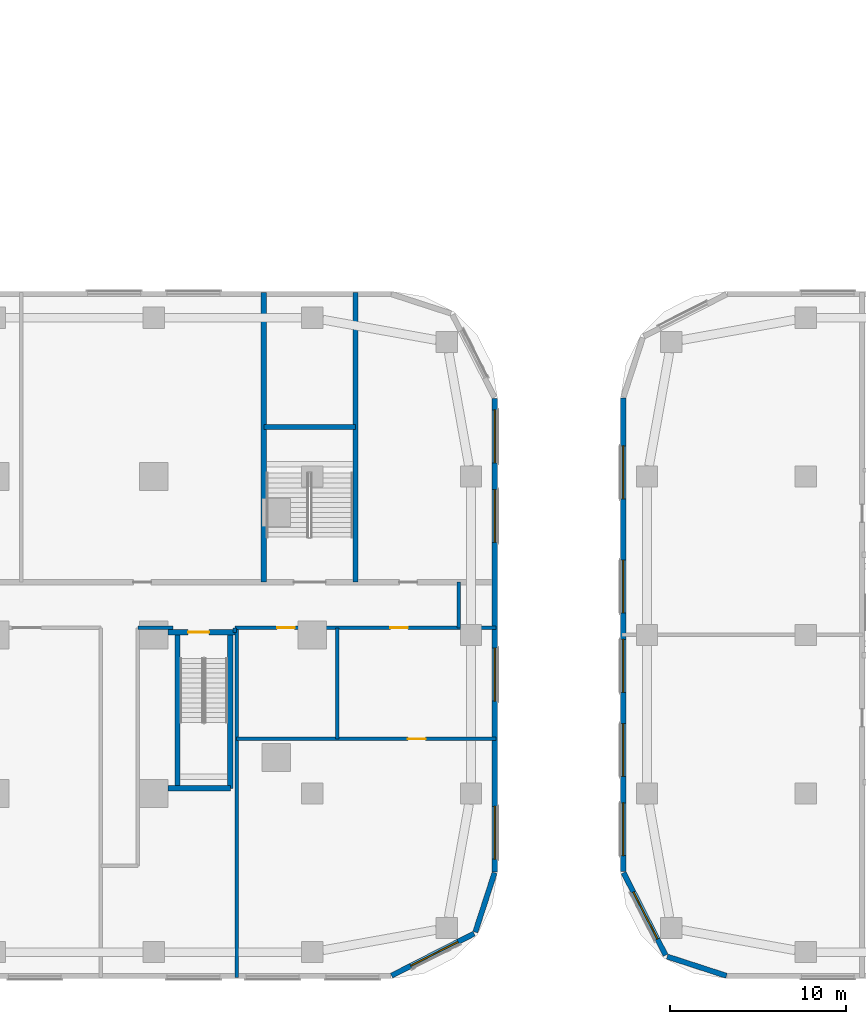
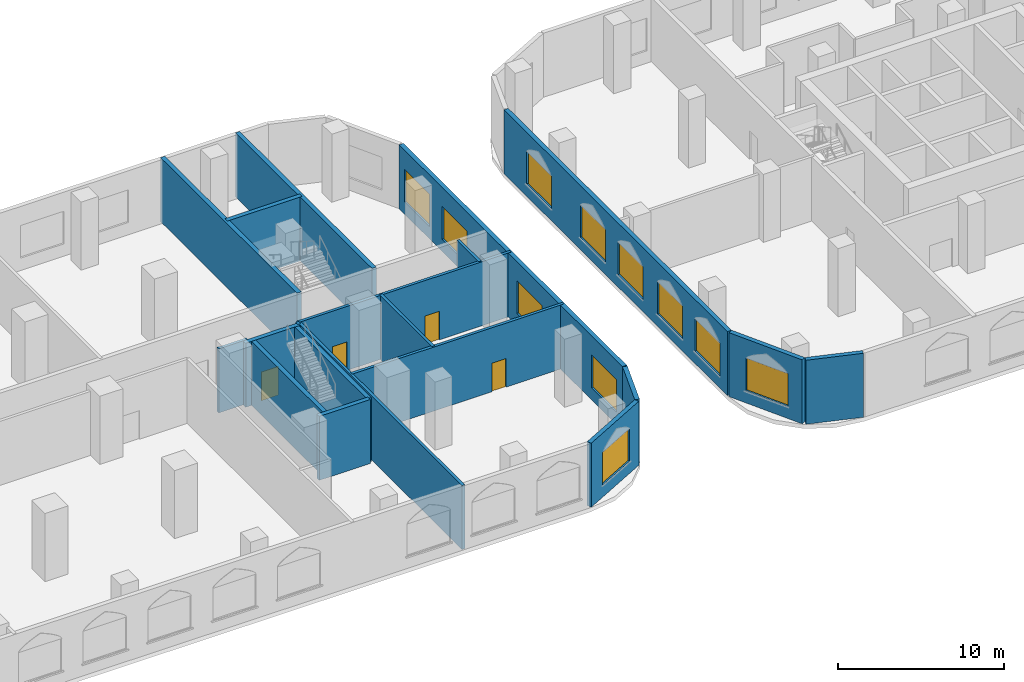
# One storey, part 8 of 31: 20 walls, 11 windows, 4 doors, 15 openings.
"""IFC4 building model written with IfcOpenShell, lengths in metres."""

from ifc_helpers import new_model, si_unit, direction, frame, frame_2d, origin, place, context, subcontext, project, spatial, rectangle, extrude, material, layer, layer_set, type_object, element, fill, save


model = new_model("IFC4")

# Units and contexts
model_context = context("Model", 3, precision=1e-05, world=origin(), true_north=direction((0.0, 1.0)))
body_context = subcontext(model_context, "Body", "Model", "MODEL_VIEW")
ifc_project = project(units=[si_unit("LENGTHUNIT", "METRE"), si_unit("AREAUNIT", "SQUARE_METRE"), si_unit("VOLUMEUNIT", "CUBIC_METRE"), si_unit("PLANEANGLEUNIT", "RADIAN"), si_unit("MASSUNIT", "GRAM", prefix="KILO")], contexts=[model_context])

# Site, building, storey
site_placement = place(None, origin())
site = spatial("IfcSite", under=ifc_project, at=site_placement, CompositionType="ELEMENT")
building_placement = place(site_placement, origin())
building = spatial("IfcBuilding", under=site, at=building_placement, Name="Ogive Portal Towers", CompositionType="ELEMENT")
storey_placement = place(building_placement, frame((0.0, 0.0, 13.5)))
storey = spatial("IfcBuildingStorey", under=building, at=storey_placement, Name="L02", CompositionType="ELEMENT", Elevation=13.5)

# Wall, opening, window
ifc_material_1 = material(Name="Limestone cladding on lightweight block wall", Category="masonry")
ifc_layer_1 = layer(ifc_material_1, 0.300048828125)
ifc_layer_set_1 = layer_set([ifc_layer_1], Name="EXTERNAL WALL 300 STONE")
wall_type_1 = type_object("IfcWallType", Name="EXTERNAL WALL 300 STONE", PredefinedType="SOLIDWALL", material=ifc_layer_set_1)
wall_1_placement = place(storey_placement, frame((98.99609375, 11.166259765625, 0.0), z_axis=(0.0, 0.0, 1.0), x_axis=(0.890998339455, 0.454006562826, 0.0)))
wall_1 = element("IfcWall", 1, at=wall_1_placement, inside=storey, type_object=wall_type_1, Name="A:L02:f03:w0", PredefinedType="SOLIDWALL", context=body_context, shape_type="SweptSolid", body=[
    extrude(rectangle(XDim=5.251708984375, YDim=0.300048828125, at=frame_2d((2.6259765625, 0.0))), origin(), (0.0, 0.0, 1.0), 4.699951171875),
])
opening_1_placement = place(wall_1_placement, frame((1.223876953125, 0.0, 0.89990234375)))
opening_1 = element("IfcOpeningElement", 2, at=opening_1_placement, cuts=wall_1, Name="Opening WN3", PredefinedType="OPENING", context=body_context, shape_type="SweptSolid", body=[
    extrude(rectangle(XDim=3.0, YDim=2.39990234375, at=frame_2d((1.5, 1.199951171875))), frame((0.0, 0.16015625, 0.0), z_axis=(0.0, -1.0, 0.0), x_axis=(1.0, 0.0, 0.0)), (0.0, 0.0, 1.0), 0.320068359375),
])
ifc_material_2 = material(Name="Glass, clear low-iron insulated glazing", Category="glass")
window_type = type_object("IfcWindowType", Name="WINDOW PODIUM 3000x2400", PartitioningType="SINGLE_PANEL", PredefinedType="WINDOW", material=ifc_material_2)
window_1_placement = place(opening_1_placement, origin())
window_1 = element("IfcWindow", 3, at=window_1_placement, inside=storey, type_object=window_type, Name="A:L02:f03:w0:o0", OverallHeight=2.39990234375, OverallWidth=3.0, PartitioningType="SINGLE_PANEL", PredefinedType="WINDOW", context=body_context, shape_type="SweptSolid", body=[
    extrude(rectangle(XDim=3.0, YDim=2.39990234375, at=frame_2d((1.5, 1.199951171875))), frame((0.0, 0.030029296875, 0.0), z_axis=(0.0, -1.0, 0.0), x_axis=(1.0, 0.0, 0.0)), (0.0, 0.0, 1.0), 0.06005859375),
])
fill(opening_1, window_1)

# Wall
wall_2_placement = place(storey_placement, frame((103.749755859375, 13.637939453125, 0.0), z_axis=(0.0, 0.0, 1.0), x_axis=(0.309073584194, 0.951038127287, 0.0)))
element("IfcWall", 4, at=wall_2_placement, inside=storey, type_object=wall_type_1, Name="A:L02:f04:w0", PredefinedType="SOLIDWALL", context=body_context, shape_type="SweptSolid", body=[
    extrude(rectangle(XDim=3.536376953125, YDim=0.300048828125, at=frame_2d((1.76806640625, 0.0))), origin(), (0.0, 0.0, 1.0), 4.699951171875),
])

# Wall, openings, windows
wall_3_placement = place(storey_placement, frame((104.85009765625, 17.047607421875, 0.0), z_axis=(0.0, 0.0, 1.0), x_axis=(0.0, 1.0, 0.0)))
wall_3 = element("IfcWall", 5, at=wall_3_placement, inside=storey, type_object=wall_type_1, Name="A:L02:f05:w0", PredefinedType="SOLIDWALL", context=body_context, shape_type="SweptSolid", body=[
    extrude(rectangle(XDim=26.88037109375, YDim=0.300048828125, at=frame_2d((13.440185546875, 0.0))), origin(), (0.0, 0.0, 1.0), 4.699951171875),
])
opening_2_placement = place(wall_3_placement, frame((0.726318359375, 0.0, 0.89990234375)))
opening_2 = element("IfcOpeningElement", 6, at=opening_2_placement, cuts=wall_3, Name="Opening WN3", PredefinedType="OPENING", context=body_context, shape_type="SweptSolid", body=[
    extrude(rectangle(XDim=3.0, YDim=2.39990234375, at=frame_2d((1.5, 1.199951171875))), frame((0.0, 0.16015625, 0.0), z_axis=(0.0, -1.0, 0.0), x_axis=(1.0, 0.0, 0.0)), (0.0, 0.0, 1.0), 0.320068359375),
])
opening_3_placement = place(wall_3_placement, frame((9.702392578125, 0.0, 0.89990234375)))
opening_3 = element("IfcOpeningElement", 7, at=opening_3_placement, cuts=wall_3, Name="Opening WN3", PredefinedType="OPENING", context=body_context, shape_type="SweptSolid", body=[
    extrude(rectangle(XDim=3.0, YDim=2.39990234375, at=frame_2d((1.5, 1.199951171875))), frame((0.0, 0.16015625, 0.0), z_axis=(0.0, -1.0, 0.0), x_axis=(1.0, 0.0, 0.0)), (0.0, 0.0, 1.0), 0.320068359375),
])
opening_4_placement = place(wall_3_placement, frame((18.702392578125, 0.0, 0.89990234375)))
opening_4 = element("IfcOpeningElement", 8, at=opening_4_placement, cuts=wall_3, Name="Opening WN3", PredefinedType="OPENING", context=body_context, shape_type="SweptSolid", body=[
    extrude(rectangle(XDim=3.0, YDim=2.39990234375, at=frame_2d((1.5, 1.199951171875))), frame((0.0, 0.16015625, 0.0), z_axis=(0.0, -1.0, 0.0), x_axis=(1.0, 0.0, 0.0)), (0.0, 0.0, 1.0), 0.320068359375),
])
opening_5_placement = place(wall_3_placement, frame((23.226318359375, 0.0, 0.89990234375)))
opening_5 = element("IfcOpeningElement", 9, at=opening_5_placement, cuts=wall_3, Name="Opening WN3", PredefinedType="OPENING", context=body_context, shape_type="SweptSolid", body=[
    extrude(rectangle(XDim=3.0, YDim=2.39990234375, at=frame_2d((1.5, 1.199951171875))), frame((0.0, 0.16015625, 0.0), z_axis=(0.0, -1.0, 0.0), x_axis=(1.0, 0.0, 0.0)), (0.0, 0.0, 1.0), 0.320068359375),
])
window_2_placement = place(opening_2_placement, origin())
window_2 = element("IfcWindow", 10, at=window_2_placement, inside=storey, type_object=window_type, Name="A:L02:f05:w0:o0", OverallHeight=2.39990234375, OverallWidth=3.0, PartitioningType="SINGLE_PANEL", PredefinedType="WINDOW", context=body_context, shape_type="SweptSolid", body=[
    extrude(rectangle(XDim=3.0, YDim=2.39990234375, at=frame_2d((1.5, 1.199951171875))), frame((0.0, 0.030029296875, 0.0), z_axis=(0.0, -1.0, 0.0), x_axis=(1.0, 0.0, 0.0)), (0.0, 0.0, 1.0), 0.06005859375),
])
fill(opening_2, window_2)
window_3_placement = place(opening_3_placement, origin())
window_3 = element("IfcWindow", 11, at=window_3_placement, inside=storey, type_object=window_type, Name="A:L02:f05:w0:o1b", OverallHeight=2.39990234375, OverallWidth=3.0, PartitioningType="SINGLE_PANEL", PredefinedType="WINDOW", context=body_context, shape_type="SweptSolid", body=[
    extrude(rectangle(XDim=3.0, YDim=2.39990234375, at=frame_2d((1.5, 1.199951171875))), frame((0.0, 0.030029296875, 0.0), z_axis=(0.0, -1.0, 0.0), x_axis=(1.0, 0.0, 0.0)), (0.0, 0.0, 1.0), 0.06005859375),
])
fill(opening_3, window_3)
window_4_placement = place(opening_4_placement, origin())
window_4 = element("IfcWindow", 12, at=window_4_placement, inside=storey, type_object=window_type, Name="A:L02:f05:w0:o2b", OverallHeight=2.39990234375, OverallWidth=3.0, PartitioningType="SINGLE_PANEL", PredefinedType="WINDOW", context=body_context, shape_type="SweptSolid", body=[
    extrude(rectangle(XDim=3.0, YDim=2.39990234375, at=frame_2d((1.5, 1.199951171875))), frame((0.0, 0.030029296875, 0.0), z_axis=(0.0, -1.0, 0.0), x_axis=(1.0, 0.0, 0.0)), (0.0, 0.0, 1.0), 0.06005859375),
])
fill(opening_4, window_4)
window_5_placement = place(opening_5_placement, origin())
window_5 = element("IfcWindow", 13, at=window_5_placement, inside=storey, type_object=window_type, Name="A:L02:f05:w0:o3", OverallHeight=2.39990234375, OverallWidth=3.0, PartitioningType="SINGLE_PANEL", PredefinedType="WINDOW", context=body_context, shape_type="SweptSolid", body=[
    extrude(rectangle(XDim=3.0, YDim=2.39990234375, at=frame_2d((1.5, 1.199951171875))), frame((0.0, 0.030029296875, 0.0), z_axis=(0.0, -1.0, 0.0), x_axis=(1.0, 0.0, 0.0)), (0.0, 0.0, 1.0), 0.06005859375),
])
fill(opening_5, window_5)

# Wall, opening, window
wall_4_placement = place(storey_placement, frame((112.166259765625, 17.00390625, 0.0), z_axis=(0.0, 0.0, 1.0), x_axis=(0.454006562826, -0.890998339455, 0.0)))
wall_4 = element("IfcWall", 14, at=wall_4_placement, inside=storey, type_object=wall_type_1, Name="B:L02:f00:w0", PredefinedType="SOLIDWALL", context=body_context, shape_type="SweptSolid", body=[
    extrude(rectangle(XDim=5.251708984375, YDim=0.300048828125, at=frame_2d((2.6259765625, 0.0))), origin(), (0.0, 0.0, 1.0), 4.699951171875),
])
opening_6_placement = place(wall_4_placement, frame((1.223876953125, 0.0, 0.89990234375)))
opening_6 = element("IfcOpeningElement", 15, at=opening_6_placement, cuts=wall_4, Name="Opening WN3", PredefinedType="OPENING", context=body_context, shape_type="SweptSolid", body=[
    extrude(rectangle(XDim=3.0, YDim=2.39990234375, at=frame_2d((1.5, 1.199951171875))), frame((0.0, 0.16015625, 0.0), z_axis=(0.0, -1.0, 0.0), x_axis=(1.0, 0.0, 0.0)), (0.0, 0.0, 1.0), 0.320068359375),
])
window_6_placement = place(opening_6_placement, origin())
window_6 = element("IfcWindow", 16, at=window_6_placement, inside=storey, type_object=window_type, Name="B:L02:f00:w0:o0", OverallHeight=2.39990234375, OverallWidth=3.0, PartitioningType="SINGLE_PANEL", PredefinedType="WINDOW", context=body_context, shape_type="SweptSolid", body=[
    extrude(rectangle(XDim=3.0, YDim=2.39990234375, at=frame_2d((1.5, 1.199951171875))), frame((0.0, 0.030029296875, 0.0), z_axis=(0.0, -1.0, 0.0), x_axis=(1.0, 0.0, 0.0)), (0.0, 0.0, 1.0), 0.06005859375),
])
fill(opening_6, window_6)

# Wall
wall_5_placement = place(storey_placement, frame((114.637939453125, 12.250244140625, 0.0), z_axis=(0.0, 0.0, 1.0), x_axis=(0.951038127287, -0.309073584194, 0.0)))
element("IfcWall", 17, at=wall_5_placement, inside=storey, type_object=wall_type_1, Name="B:L02:f01:w0", PredefinedType="SOLIDWALL", context=body_context, shape_type="SweptSolid", body=[
    extrude(rectangle(XDim=3.536376953125, YDim=0.300048828125, at=frame_2d((1.76806640625, 0.0))), origin(), (0.0, 0.0, 1.0), 4.699951171875),
])

# Wall, openings, windows
wall_6_placement = place(storey_placement, frame((112.14990234375, 43.952392578125, 0.0), z_axis=(0.0, 0.0, 1.0), x_axis=(0.0, -1.0, 0.0)))
wall_6 = element("IfcWall", 18, at=wall_6_placement, inside=storey, type_object=wall_type_1, Name="B:L02:f11:w0", PredefinedType="SOLIDWALL", context=body_context, shape_type="SweptSolid", body=[
    extrude(rectangle(XDim=26.88037109375, YDim=0.300048828125, at=frame_2d((13.440185546875, 0.0))), origin(), (0.0, 0.0, 1.0), 4.699951171875),
])
opening_7_placement = place(wall_6_placement, frame((2.726318359375, 0.0, 0.89990234375)))
opening_7 = element("IfcOpeningElement", 19, at=opening_7_placement, cuts=wall_6, Name="Opening WN3", PredefinedType="OPENING", context=body_context, shape_type="SweptSolid", body=[
    extrude(rectangle(XDim=3.0, YDim=2.39990234375, at=frame_2d((1.5, 1.199951171875))), frame((0.0, 0.16015625, 0.0), z_axis=(0.0, -1.0, 0.0), x_axis=(1.0, 0.0, 0.0)), (0.0, 0.0, 1.0), 0.320068359375),
])
opening_8_placement = place(wall_6_placement, frame((9.202392578125, 0.0, 0.89990234375)))
opening_8 = element("IfcOpeningElement", 20, at=opening_8_placement, cuts=wall_6, Name="Opening WN3", PredefinedType="OPENING", context=body_context, shape_type="SweptSolid", body=[
    extrude(rectangle(XDim=3.0, YDim=2.39990234375, at=frame_2d((1.5, 1.199951171875))), frame((0.0, 0.16015625, 0.0), z_axis=(0.0, -1.0, 0.0), x_axis=(1.0, 0.0, 0.0)), (0.0, 0.0, 1.0), 0.320068359375),
])
opening_9_placement = place(wall_6_placement, frame((13.702392578125, 0.0, 0.89990234375)))
opening_9 = element("IfcOpeningElement", 21, at=opening_9_placement, cuts=wall_6, Name="Opening WN3", PredefinedType="OPENING", context=body_context, shape_type="SweptSolid", body=[
    extrude(rectangle(XDim=3.0, YDim=2.39990234375, at=frame_2d((1.5, 1.199951171875))), frame((0.0, 0.16015625, 0.0), z_axis=(0.0, -1.0, 0.0), x_axis=(1.0, 0.0, 0.0)), (0.0, 0.0, 1.0), 0.320068359375),
])
opening_10_placement = place(wall_6_placement, frame((18.476318359375, 0.0, 0.89990234375)))
opening_10 = element("IfcOpeningElement", 22, at=opening_10_placement, cuts=wall_6, Name="Opening WN3", PredefinedType="OPENING", context=body_context, shape_type="SweptSolid", body=[
    extrude(rectangle(XDim=3.0, YDim=2.39990234375, at=frame_2d((1.5, 1.199951171875))), frame((0.0, 0.16015625, 0.0), z_axis=(0.0, -1.0, 0.0), x_axis=(1.0, 0.0, 0.0)), (0.0, 0.0, 1.0), 0.320068359375),
])
opening_11_placement = place(wall_6_placement, frame((22.976318359375, 0.0, 0.89990234375)))
opening_11 = element("IfcOpeningElement", 23, at=opening_11_placement, cuts=wall_6, Name="Opening WN3", PredefinedType="OPENING", context=body_context, shape_type="SweptSolid", body=[
    extrude(rectangle(XDim=3.0, YDim=2.39990234375, at=frame_2d((1.5, 1.199951171875))), frame((0.0, 0.16015625, 0.0), z_axis=(0.0, -1.0, 0.0), x_axis=(1.0, 0.0, 0.0)), (0.0, 0.0, 1.0), 0.320068359375),
])
window_7_placement = place(opening_7_placement, origin())
window_7 = element("IfcWindow", 24, at=window_7_placement, inside=storey, type_object=window_type, Name="B:L02:f11:w0:o0", OverallHeight=2.39990234375, OverallWidth=3.0, PartitioningType="SINGLE_PANEL", PredefinedType="WINDOW", context=body_context, shape_type="SweptSolid", body=[
    extrude(rectangle(XDim=3.0, YDim=2.39990234375, at=frame_2d((1.5, 1.199951171875))), frame((0.0, 0.030029296875, 0.0), z_axis=(0.0, -1.0, 0.0), x_axis=(1.0, 0.0, 0.0)), (0.0, 0.0, 1.0), 0.06005859375),
])
fill(opening_7, window_7)
window_8_placement = place(opening_8_placement, origin())
window_8 = element("IfcWindow", 25, at=window_8_placement, inside=storey, type_object=window_type, Name="B:L02:f11:w0:o1a", OverallHeight=2.39990234375, OverallWidth=3.0, PartitioningType="SINGLE_PANEL", PredefinedType="WINDOW", context=body_context, shape_type="SweptSolid", body=[
    extrude(rectangle(XDim=3.0, YDim=2.39990234375, at=frame_2d((1.5, 1.199951171875))), frame((0.0, 0.030029296875, 0.0), z_axis=(0.0, -1.0, 0.0), x_axis=(1.0, 0.0, 0.0)), (0.0, 0.0, 1.0), 0.06005859375),
])
fill(opening_8, window_8)
window_9_placement = place(opening_9_placement, origin())
window_9 = element("IfcWindow", 26, at=window_9_placement, inside=storey, type_object=window_type, Name="B:L02:f11:w0:o1b", OverallHeight=2.39990234375, OverallWidth=3.0, PartitioningType="SINGLE_PANEL", PredefinedType="WINDOW", context=body_context, shape_type="SweptSolid", body=[
    extrude(rectangle(XDim=3.0, YDim=2.39990234375, at=frame_2d((1.5, 1.199951171875))), frame((0.0, 0.030029296875, 0.0), z_axis=(0.0, -1.0, 0.0), x_axis=(1.0, 0.0, 0.0)), (0.0, 0.0, 1.0), 0.06005859375),
])
fill(opening_9, window_9)
window_10_placement = place(opening_10_placement, origin())
window_10 = element("IfcWindow", 27, at=window_10_placement, inside=storey, type_object=window_type, Name="B:L02:f11:w0:o2a", OverallHeight=2.39990234375, OverallWidth=3.0, PartitioningType="SINGLE_PANEL", PredefinedType="WINDOW", context=body_context, shape_type="SweptSolid", body=[
    extrude(rectangle(XDim=3.0, YDim=2.39990234375, at=frame_2d((1.5, 1.199951171875))), frame((0.0, 0.030029296875, 0.0), z_axis=(0.0, -1.0, 0.0), x_axis=(1.0, 0.0, 0.0)), (0.0, 0.0, 1.0), 0.06005859375),
])
fill(opening_10, window_10)
window_11_placement = place(opening_11_placement, origin())
window_11 = element("IfcWindow", 28, at=window_11_placement, inside=storey, type_object=window_type, Name="B:L02:f11:w0:o2b", OverallHeight=2.39990234375, OverallWidth=3.0, PartitioningType="SINGLE_PANEL", PredefinedType="WINDOW", context=body_context, shape_type="SweptSolid", body=[
    extrude(rectangle(XDim=3.0, YDim=2.39990234375, at=frame_2d((1.5, 1.199951171875))), frame((0.0, 0.030029296875, 0.0), z_axis=(0.0, -1.0, 0.0), x_axis=(1.0, 0.0, 0.0)), (0.0, 0.0, 1.0), 0.06005859375),
])
fill(opening_11, window_11)

# Wall
ifc_material_3 = material(Name="Concrete C50/60", Category="concrete")
ifc_layer_2 = layer(ifc_material_3, 0.300048828125)
ifc_layer_set_2 = layer_set([ifc_layer_2], Name="STAIR WALL 300 C50")
wall_type_2 = type_object("IfcWallType", Name="STAIR WALL 300 C50", PredefinedType="SHEAR", material=ifc_layer_set_2)
wall_7_placement = place(storey_placement, frame((86.300048828125, 21.800048828125, 0.0), z_axis=(0.0, 0.0, 1.0), x_axis=(1.0, 0.0, 0.0)))
element("IfcWall", 29, at=wall_7_placement, inside=storey, type_object=wall_type_2, Name="Stair wall ST-A4 L02", PredefinedType="SHEAR", context=body_context, shape_type="SweptSolid", body=[
    extrude(rectangle(XDim=3.550048828125, YDim=0.300048828125, at=frame_2d((1.77490234375, 0.0))), origin(), (0.0, 0.0, 1.0), 4.699951171875),
])

# Wall, opening, door
wall_8_placement = place(storey_placement, frame((86.300048828125, 30.64990234375, 0.0), z_axis=(0.0, 0.0, 1.0), x_axis=(1.0, 0.0, 0.0)))
wall_8 = element("IfcWall", 30, at=wall_8_placement, inside=storey, type_object=wall_type_2, Name="Stair wall ST-A4 L02", PredefinedType="SHEAR", context=body_context, shape_type="SweptSolid", body=[
    extrude(rectangle(XDim=3.800048828125, YDim=0.300048828125, at=frame_2d((1.89990234375, 0.0))), origin(), (0.0, 0.0, 1.0), 4.699951171875),
])
opening_12_placement = place(wall_8_placement, frame((1.14990234375, 0.0, 0.0)))
opening_12 = element("IfcOpeningElement", 31, at=opening_12_placement, cuts=wall_8, Name="Opening P02-002", PredefinedType="OPENING", context=body_context, shape_type="SweptSolid", body=[
    extrude(rectangle(XDim=1.199951171875, YDim=2.10009765625, at=frame_2d((0.60009765625, 1.050048828125))), frame((0.0, 0.16015625, 0.0), z_axis=(0.0, -1.0, 0.0), x_axis=(1.0, 0.0, 0.0)), (0.0, 0.0, 1.0), 0.320068359375),
])
ifc_material_4 = material(Name="Steel fire door", Category="steel")
door_type_1 = type_object("IfcDoorType", Name="DT-SWING-1200x2100-FD90S", OperationType="SINGLE_SWING_LEFT", PredefinedType="DOOR", material=ifc_material_4)
door_1_placement = place(opening_12_placement, origin())
door_1 = element("IfcDoor", 32, at=door_1_placement, inside=storey, type_object=door_type_1, Name="Door P02-002", OperationType="SINGLE_SWING_RIGHT", OverallHeight=2.10009765625, OverallWidth=1.199951171875, PredefinedType="DOOR", context=body_context, shape_type="SweptSolid", body=[
    extrude(rectangle(XDim=1.199951171875, YDim=2.10009765625, at=frame_2d((0.60009765625, 1.050048828125))), frame((0.0, 0.02490234375, 0.0), z_axis=(0.0, -1.0, 0.0), x_axis=(1.0, 0.0, 0.0)), (0.0, 0.0, 1.0), 0.050048828125),
])
fill(opening_12, door_1)

# Walls
wall_9_placement = place(storey_placement, frame((91.75, 42.300048828125, 0.0), z_axis=(0.0, 0.0, 1.0), x_axis=(1.0, 0.0, 0.0)))
element("IfcWall", 33, at=wall_9_placement, inside=storey, type_object=wall_type_2, Name="Stair wall ST-P1 L02", PredefinedType="SHEAR", context=body_context, shape_type="SweptSolid", body=[
    extrude(rectangle(XDim=5.199951171875, YDim=0.300048828125, at=frame_2d((2.60009765625, 0.0))), origin(), (0.0, 0.0, 1.0), 4.699951171875),
])
for number, where, z_axis, x_axis, name in (
    (34, (86.85009765625, 21.800048828125, 0.0), (0.0, 0.0, 1.0), (0.0, 1.0, 0.0), "Stair wall ST-A4 L02"),
    (35, (89.85009765625, 21.800048828125, 0.0), (0.0, 0.0, 1.0), (0.0, 1.0, 0.0), "Stair wall ST-A4 L02"),
):
    element("IfcWall", number, at=place(storey_placement, frame(where, z_axis=z_axis, x_axis=x_axis)), inside=storey, type_object=wall_type_2, Name=name, PredefinedType="SHEAR", context=body_context, shape_type="SweptSolid", body=[
        extrude(rectangle(XDim=8.849853515625, YDim=0.300048828125, at=frame_2d((4.4248046875, 0.0))), origin(), (0.0, 0.0, 1.0), 4.699951171875),
    ])
for number, where, z_axis, x_axis, name in (
    (36, (91.75, 33.5, 0.0), (0.0, 0.0, 1.0), (0.0, 1.0, 0.0), "Stair wall ST-P1 L02"),
    (37, (96.949951171875, 33.5, 0.0), (0.0, 0.0, 1.0), (0.0, 1.0, 0.0), "Stair wall ST-P1 L02"),
):
    element("IfcWall", number, at=place(storey_placement, frame(where, z_axis=z_axis, x_axis=x_axis)), inside=storey, type_object=wall_type_2, Name=name, PredefinedType="SHEAR", context=body_context, shape_type="SweptSolid", body=[
        extrude(rectangle(XDim=16.429931640625, YDim=0.300048828125, at=frame_2d((8.21484375, 0.0))), origin(), (0.0, 0.0, 1.0), 4.699951171875),
    ])

# Wall, opening, door
ifc_material_5 = material(Name="Gypsum board partition on steel studs", Category="steel")
ifc_layer_3 = layer(ifc_material_5, 0.199951171875)
ifc_layer_set_3 = layer_set([ifc_layer_3], Name="WT-PART-200-EI 60")
wall_type_3 = type_object("IfcWallType", Name="WT-PART-200-EI 60", PredefinedType="PARTITIONING", material=ifc_layer_set_3)
wall_10_placement = place(storey_placement, frame((90.199951171875, 24.60009765625, 0.0), z_axis=(0.0, 0.0, 1.0), x_axis=(1.0, 0.0, 0.0)))
wall_10 = element("IfcWall", 38, at=wall_10_placement, inside=storey, type_object=wall_type_3, Name="Wall L02:w009", PredefinedType="PARTITIONING", context=body_context, shape_type="SweptSolid", body=[
    extrude(rectangle(XDim=14.72998046875, YDim=0.199951171875, at=frame_2d((7.364990234375, 0.0))), origin(), (0.0, 0.0, 1.0), 4.699951171875),
])
opening_13_placement = place(wall_10_placement, frame((9.72705078125, 0.0, 0.0)))
opening_13 = element("IfcOpeningElement", 39, at=opening_13_placement, cuts=wall_10, Name="Opening P02-013", PredefinedType="OPENING", context=body_context, shape_type="SweptSolid", body=[
    extrude(rectangle(XDim=1.0, YDim=2.10009765625, at=frame_2d((0.5, 1.050048828125))), frame((0.0, 0.10986328125, 0.0), z_axis=(0.0, -1.0, 0.0), x_axis=(1.0, 0.0, 0.0)), (0.0, 0.0, 1.0), 0.219970703125),
])
door_type_2 = type_object("IfcDoorType", Name="DT-SWING-1000x2100-FD60S", OperationType="SINGLE_SWING_LEFT", PredefinedType="DOOR", material=ifc_material_4)
door_2_placement = place(opening_13_placement, origin())
door_2 = element("IfcDoor", 40, at=door_2_placement, inside=storey, type_object=door_type_2, Name="Door P02-013", OperationType="SINGLE_SWING_LEFT", OverallHeight=2.10009765625, OverallWidth=1.0, PredefinedType="DOOR", context=body_context, shape_type="SweptSolid", body=[
    extrude(rectangle(XDim=1.0, YDim=2.10009765625, at=frame_2d((0.5, 1.050048828125))), frame((0.0, 0.02490234375, 0.0), z_axis=(0.0, -1.0, 0.0), x_axis=(1.0, 0.0, 0.0)), (0.0, 0.0, 1.0), 0.050048828125),
])
fill(opening_13, door_2)

# Wall
wall_11_placement = place(storey_placement, frame((84.60009765625, 30.89990234375, 0.0), z_axis=(0.0, 0.0, 1.0), x_axis=(1.0, 0.0, 0.0)))
element("IfcWall", 41, at=wall_11_placement, inside=storey, type_object=wall_type_3, Name="Wall L02:w014", PredefinedType="PARTITIONING", context=body_context, shape_type="SweptSolid", body=[
    extrude(rectangle(XDim=2.0, YDim=0.199951171875, at=frame_2d((1.0, 0.0))), origin(), (0.0, 0.0, 1.0), 4.699951171875),
])

# Wall, openings, doors
wall_12_placement = place(storey_placement, frame((90.10009765625, 30.89990234375, 0.0), z_axis=(0.0, 0.0, 1.0), x_axis=(1.0, 0.0, 0.0)))
wall_12 = element("IfcWall", 42, at=wall_12_placement, inside=storey, type_object=wall_type_3, Name="Wall L02:w015", PredefinedType="PARTITIONING", context=body_context, shape_type="SweptSolid", body=[
    extrude(rectangle(XDim=14.829833984375, YDim=0.199951171875, at=frame_2d((7.4150390625, 0.0))), origin(), (0.0, 0.0, 1.0), 4.699951171875),
])
opening_14_placement = place(wall_12_placement, frame((2.39990234375, 0.0, 0.0)))
opening_14 = element("IfcOpeningElement", 43, at=opening_14_placement, cuts=wall_12, Name="Opening P02-011", PredefinedType="OPENING", context=body_context, shape_type="SweptSolid", body=[
    extrude(rectangle(XDim=1.0, YDim=2.10009765625, at=frame_2d((0.5, 1.050048828125))), frame((0.0, 0.10986328125, 0.0), z_axis=(0.0, -1.0, 0.0), x_axis=(1.0, 0.0, 0.0)), (0.0, 0.0, 1.0), 0.219970703125),
])
opening_15_placement = place(wall_12_placement, frame((8.825927734375, 0.0, 0.0)))
opening_15 = element("IfcOpeningElement", 44, at=opening_15_placement, cuts=wall_12, Name="Opening P02-012", PredefinedType="OPENING", context=body_context, shape_type="SweptSolid", body=[
    extrude(rectangle(XDim=1.0, YDim=2.10009765625, at=frame_2d((0.5, 1.050048828125))), frame((0.0, 0.10986328125, 0.0), z_axis=(0.0, -1.0, 0.0), x_axis=(1.0, 0.0, 0.0)), (0.0, 0.0, 1.0), 0.219970703125),
])
door_3_placement = place(opening_14_placement, origin())
door_3 = element("IfcDoor", 45, at=door_3_placement, inside=storey, type_object=door_type_2, Name="Door P02-011", OperationType="SINGLE_SWING_LEFT", OverallHeight=2.10009765625, OverallWidth=1.0, PredefinedType="DOOR", context=body_context, shape_type="SweptSolid", body=[
    extrude(rectangle(XDim=1.0, YDim=2.10009765625, at=frame_2d((0.5, 1.050048828125))), frame((0.0, 0.02490234375, 0.0), z_axis=(0.0, -1.0, 0.0), x_axis=(1.0, 0.0, 0.0)), (0.0, 0.0, 1.0), 0.050048828125),
])
fill(opening_14, door_3)
door_4_placement = place(opening_15_placement, origin())
door_4 = element("IfcDoor", 46, at=door_4_placement, inside=storey, type_object=door_type_2, Name="Door P02-012", OperationType="SINGLE_SWING_RIGHT", OverallHeight=2.10009765625, OverallWidth=1.0, PredefinedType="DOOR", context=body_context, shape_type="SweptSolid", body=[
    extrude(rectangle(XDim=1.0, YDim=2.10009765625, at=frame_2d((0.5, 1.050048828125))), frame((0.0, 0.02490234375, 0.0), z_axis=(0.0, -1.0, 0.0), x_axis=(1.0, 0.0, 0.0)), (0.0, 0.0, 1.0), 0.050048828125),
])
fill(opening_15, door_4)

# Walls
wall_13_placement = place(storey_placement, frame((102.800048828125, 30.89990234375, 0.0), z_axis=(0.0, 0.0, 1.0), x_axis=(0.0, 1.0, 0.0)))
element("IfcWall", 47, at=wall_13_placement, inside=storey, type_object=wall_type_3, Name="Wall L02:w045", PredefinedType="PARTITIONING", context=body_context, shape_type="SweptSolid", body=[
    extrude(rectangle(XDim=2.60009765625, YDim=0.199951171875, at=frame_2d((1.300048828125, 0.0))), origin(), (0.0, 0.0, 1.0), 4.699951171875),
])
wall_14_placement = place(storey_placement, frame((90.10009765625, 30.64990234375, 0.0), z_axis=(0.0, 0.0, 1.0), x_axis=(0.0, 1.0, 0.0)))
element("IfcWall", 48, at=wall_14_placement, inside=storey, type_object=wall_type_3, Name="Wall L02:w084", PredefinedType="PARTITIONING", context=body_context, shape_type="SweptSolid", body=[
    extrude(rectangle(XDim=0.25, YDim=0.199951171875, at=frame_2d((0.125, 0.0))), origin(), (0.0, 0.0, 1.0), 4.699951171875),
])
wall_15_placement = place(storey_placement, frame((90.199951171875, 11.070068359375, 0.0), z_axis=(0.0, 0.0, 1.0), x_axis=(0.0, 1.0, 0.0)))
element("IfcWall", 49, at=wall_15_placement, inside=storey, type_object=wall_type_3, Name="Wall L02:w085", PredefinedType="PARTITIONING", context=body_context, shape_type="SweptSolid", body=[
    extrude(rectangle(XDim=19.829833984375, YDim=0.199951171875, at=frame_2d((9.9150390625, 0.0))), origin(), (0.0, 0.0, 1.0), 4.699951171875),
])
wall_16_placement = place(storey_placement, frame((95.9189453125, 24.60009765625, 0.0), z_axis=(0.0, 0.0, 1.0), x_axis=(0.0, 1.0, 0.0)))
element("IfcWall", 50, at=wall_16_placement, inside=storey, type_object=wall_type_3, Name="Wall L02:w087", PredefinedType="PARTITIONING", context=body_context, shape_type="SweptSolid", body=[
    extrude(rectangle(XDim=6.2998046875, YDim=0.199951171875, at=frame_2d((3.14990234375, 0.0))), origin(), (0.0, 0.0, 1.0), 4.699951171875),
])

save(model, "model.ifc")
